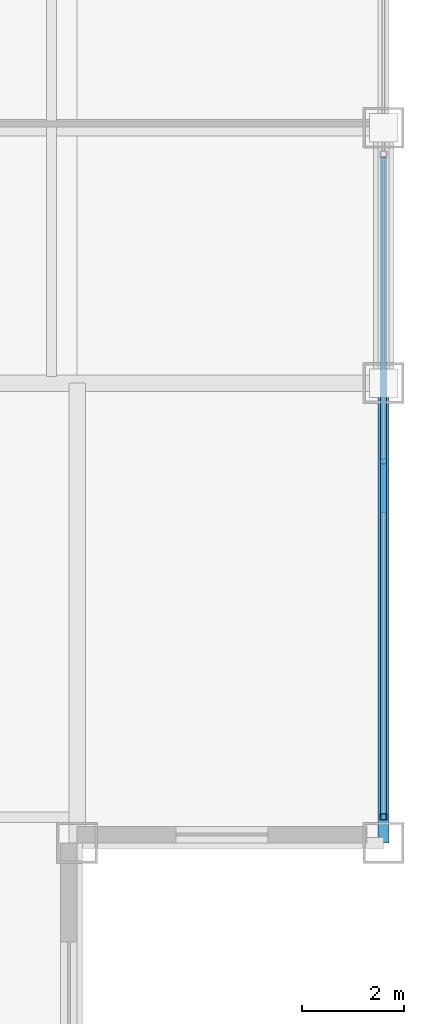
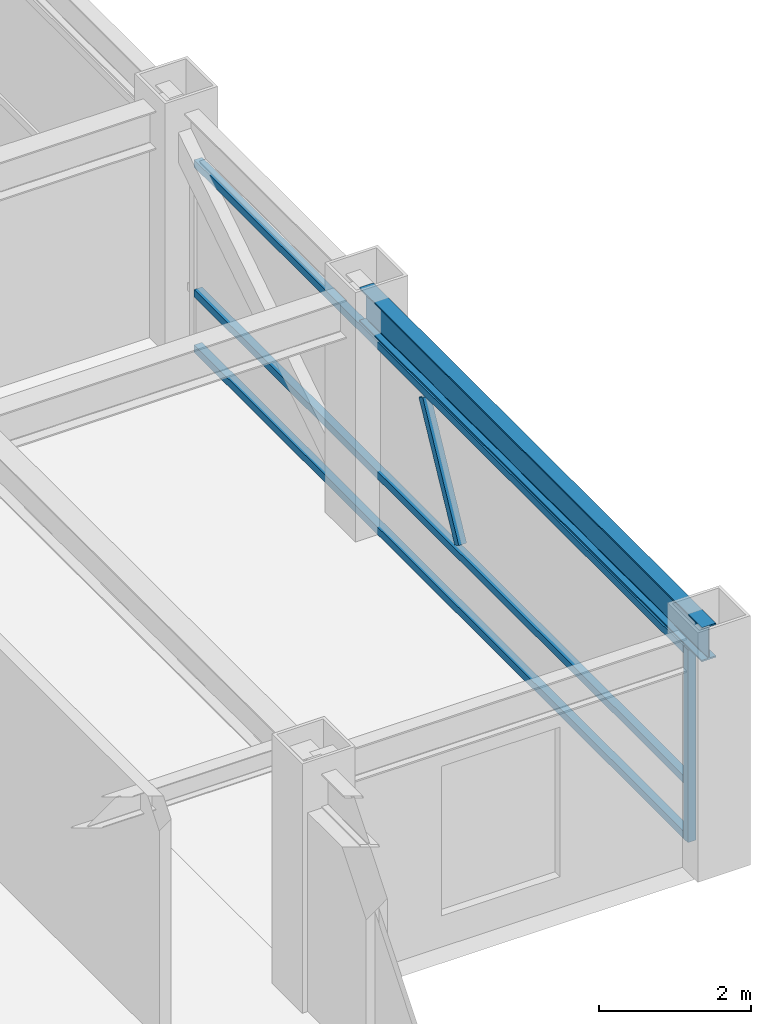
# One storey, part 12 of 29: 5 members, 1 beam, 1 element without a shape of its own.
"""IFC4 building model written with IfcOpenShell, lengths in metres."""

from ifc_helpers import new_model, si_unit, direction, frame, origin, origin_2d, place, context, subcontext, project, spatial, hollow_rectangle, i_section, extrude, source, transform, mapped, material, material_profile, profile_set, type_object, element, aggregate, save


model = new_model("IFC4")

# Units and contexts
model_context = context("Model", 3, precision=1e-05, world=origin(), true_north=direction((0.0, 1.0)))
body_context = subcontext(model_context, "Body", "Model", "MODEL_VIEW")
ifc_project = project(units=[si_unit("LENGTHUNIT", "METRE"), si_unit("AREAUNIT", "SQUARE_METRE"), si_unit("VOLUMEUNIT", "CUBIC_METRE"), si_unit("PLANEANGLEUNIT", "RADIAN"), si_unit("MASSUNIT", "GRAM", prefix="KILO")], contexts=[model_context])

# Site, building, storey
site_placement = place(None, origin())
site = spatial("IfcSite", under=ifc_project, at=site_placement, CompositionType="ELEMENT")
building_placement = place(site_placement, origin())
building = spatial("IfcBuilding", under=site, at=building_placement, Name="Khorayat Bourse Tower", CompositionType="ELEMENT")
storey_placement = place(building_placement, frame((0.0, 0.0, 350.300048828125)))
storey = spatial("IfcBuildingStorey", under=building, at=storey_placement, Name="L83", CompositionType="ELEMENT", Elevation=350.300048828125)

# Beam
ifc_material_1 = material(Name="Steel ASTM A992 Grade 50", Category="steel")
ifc_material_profile_1 = material_profile(ifc_material_1, i_section(OverallWidth=0.214111328125, OverallDepth=0.549072265625, WebThickness=0.0146484375, FlangeThickness=0.023681640625, FilletRadius=0.013916015625, at=origin_2d()), Name="W530X138")
ifc_profile_set_1 = profile_set([ifc_material_profile_1], Name="Steel ASTM A992 Grade 50")
beam_type = type_object("IfcBeamType", Name="BM-SPAN-530", PredefinedType="SPANDREL", material=ifc_profile_set_1)
shared_shape_1 = source(origin(), body_context, "Body", "SweptSolid", [
    extrude(i_section(OverallWidth=0.214111328125, OverallDepth=0.549072265625, WebThickness=0.0146484375, FlangeThickness=0.023681640625, FilletRadius=0.013916015625, at=origin_2d()), origin(), (0.0, 0.0, 1.0), 9.0),
])
beam_placement = place(storey_placement, frame((26.0, -20.0, 3.46533203125), z_axis=(0.0, 1.0, 0.0), x_axis=(-1.0, 0.0, 0.0)))
element("IfcBeam", 1, at=beam_placement, inside=storey, type_object=beam_type, Name="L83 BM-SPAN-530 BM-L83-SPN-029", PredefinedType="SPANDREL", context=body_context, shape_type="MappedRepresentation", body=[
    mapped(shared_shape_1, transform((0.0, 0.0, 0.0), scale=1.0)),
])

# Curtain wall, members
ifc_material_2 = material(Name="Aluminium EN AW-6063 T6", Category="aluminium")
curtain_wall_type = type_object("IfcCurtainWallType", Name="CW-SYS-06", PredefinedType="NOTDEFINED", material=ifc_material_2)
curtain_wall_placement = place(storey_placement, origin())
curtain_wall = element("IfcCurtainWall", 2, at=curtain_wall_placement, inside=storey, type_object=curtain_wall_type, Name="L83 Curtain Wall CW-L83-E1", PredefinedType="NOTDEFINED")
ifc_material_profile_2 = material_profile(ifc_material_2, hollow_rectangle(XDim=0.1201171875, YDim=0.1201171875, WallThickness=0.0048828125, at=origin_2d()), Name="ALU 120x120x5")
ifc_profile_set_2 = profile_set([ifc_material_profile_2], Name="Aluminium EN AW-6063 T6")
member_type_1 = type_object("IfcMemberType", Name="CWM-VERT-120", PredefinedType="MULLION", material=ifc_profile_set_2)
shared_shape_2 = source(origin(), body_context, "Body", "SweptSolid", [
    extrude(hollow_rectangle(XDim=0.1201171875, YDim=0.1201171875, WallThickness=0.0048828125, at=origin_2d()), origin(), (0.0, 0.0, 1.0), 3.08984375),
])
member_1_placement = place(storey_placement, frame((26.0, -19.489990234375, 0.0), z_axis=(0.0, 0.0, 1.0), x_axis=(-1.0, 0.0, 0.0)))
member_1 = element("IfcMember", 3, at=member_1_placement, type_object=member_type_1, Name="CW-L83-E1 Vertical Mullion 1", PredefinedType="MULLION", context=body_context, shape_type="MappedRepresentation", body=[
    mapped(shared_shape_2, transform((0.0, 0.0, 0.0), scale=1.0)),
])
ifc_material_profile_3 = material_profile(ifc_material_2, hollow_rectangle(XDim=0.1201171875, YDim=0.1201171875, WallThickness=0.0048828125, at=origin_2d()), Name="ALU 120x120x5")
ifc_profile_set_3 = profile_set([ifc_material_profile_3], Name="Aluminium EN AW-6063 T6")
member_type_2 = type_object("IfcMemberType", Name="CWM-DIAG-120", PredefinedType="MULLION", material=ifc_profile_set_3)
shared_shape_3 = source(origin(), body_context, "Body", "SweptSolid", [
    extrude(hollow_rectangle(XDim=0.1201171875, YDim=0.1201171875, WallThickness=0.0048828125, at=origin_2d()), origin(), (0.0, 0.0, 1.0), 2.0341796875),
])
member_2_placement = place(storey_placement, frame((26.0, -13.47705078125, 1.08984375), z_axis=(0.0, 0.465790950955, 0.884894790361), x_axis=(-1.0, 0.0, 0.0)))
member_2 = element("IfcMember", 4, at=member_2_placement, type_object=member_type_2, Name="CW-L83-E1 Faceted Diagonal Mullion 1", PredefinedType="MULLION", context=body_context, shape_type="MappedRepresentation", body=[
    mapped(shared_shape_3, transform((0.0, 0.0, 0.0), scale=1.0)),
])
ifc_material_profile_4 = material_profile(ifc_material_2, hollow_rectangle(XDim=0.1201171875, YDim=0.1201171875, WallThickness=0.0048828125, at=origin_2d()), Name="ALU 120x120x5")
ifc_profile_set_4 = profile_set([ifc_material_profile_4], Name="Aluminium EN AW-6063 T6")
member_type_3 = type_object("IfcMemberType", Name="CWT-HORZ-120", PredefinedType="USERDEFINED", material=ifc_profile_set_4)
shared_shape_4 = source(origin(), body_context, "Body", "SweptSolid", [
    extrude(hollow_rectangle(XDim=0.1201171875, YDim=0.1201171875, WallThickness=0.0048828125, at=origin_2d()), origin(), (0.0, 0.0, 1.0), 12.853271484375),
])
member_3_placement = place(storey_placement, frame((26.0, -19.429931640625, 0.06005859375), z_axis=(0.0, 1.0, 0.0), x_axis=(-1.0, 0.0, 0.0)))
member_3 = element("IfcMember", 5, at=member_3_placement, type_object=member_type_3, Name="CW-L83-E1 Horizontal Transom 1-1", ObjectType="TRANSOM", PredefinedType="USERDEFINED", context=body_context, shape_type="MappedRepresentation", body=[
    mapped(shared_shape_4, transform((0.0, 0.0, 0.0), scale=1.0)),
])
member_4_placement = place(storey_placement, frame((26.0, -19.429931640625, 0.949951171875), z_axis=(0.0, 1.0, 0.0), x_axis=(-1.0, 0.0, 0.0)))
member_4 = element("IfcMember", 6, at=member_4_placement, type_object=member_type_3, Name="CW-L83-E1 Horizontal Transom 1-2", ObjectType="TRANSOM", PredefinedType="USERDEFINED", context=body_context, shape_type="MappedRepresentation", body=[
    mapped(shared_shape_4, transform((0.0, 0.0, 0.0), scale=1.0)),
])
member_5_placement = place(storey_placement, frame((26.0, -19.429931640625, 3.030029296875), z_axis=(0.0, 1.0, 0.0), x_axis=(-1.0, 0.0, 0.0)))
member_5 = element("IfcMember", 7, at=member_5_placement, type_object=member_type_3, Name="CW-L83-E1 Horizontal Transom 1-3", ObjectType="TRANSOM", PredefinedType="USERDEFINED", context=body_context, shape_type="MappedRepresentation", body=[
    mapped(shared_shape_4, transform((0.0, 0.0, 0.0), scale=1.0)),
])
aggregate(curtain_wall, [member_1, member_3, member_4, member_5, member_2])

save(model, "model.ifc")
